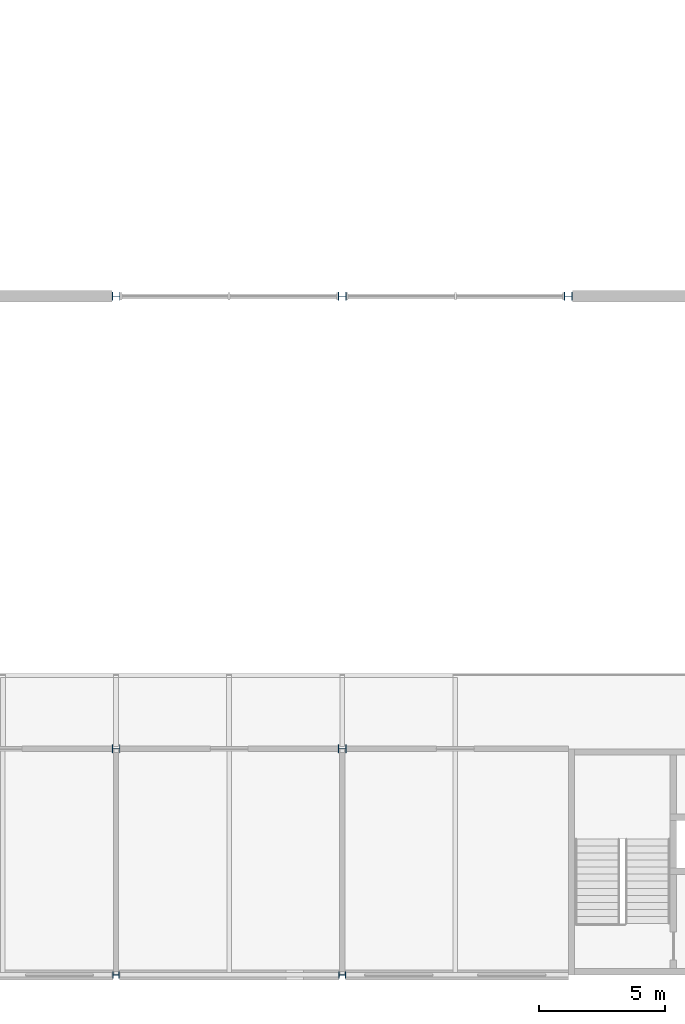
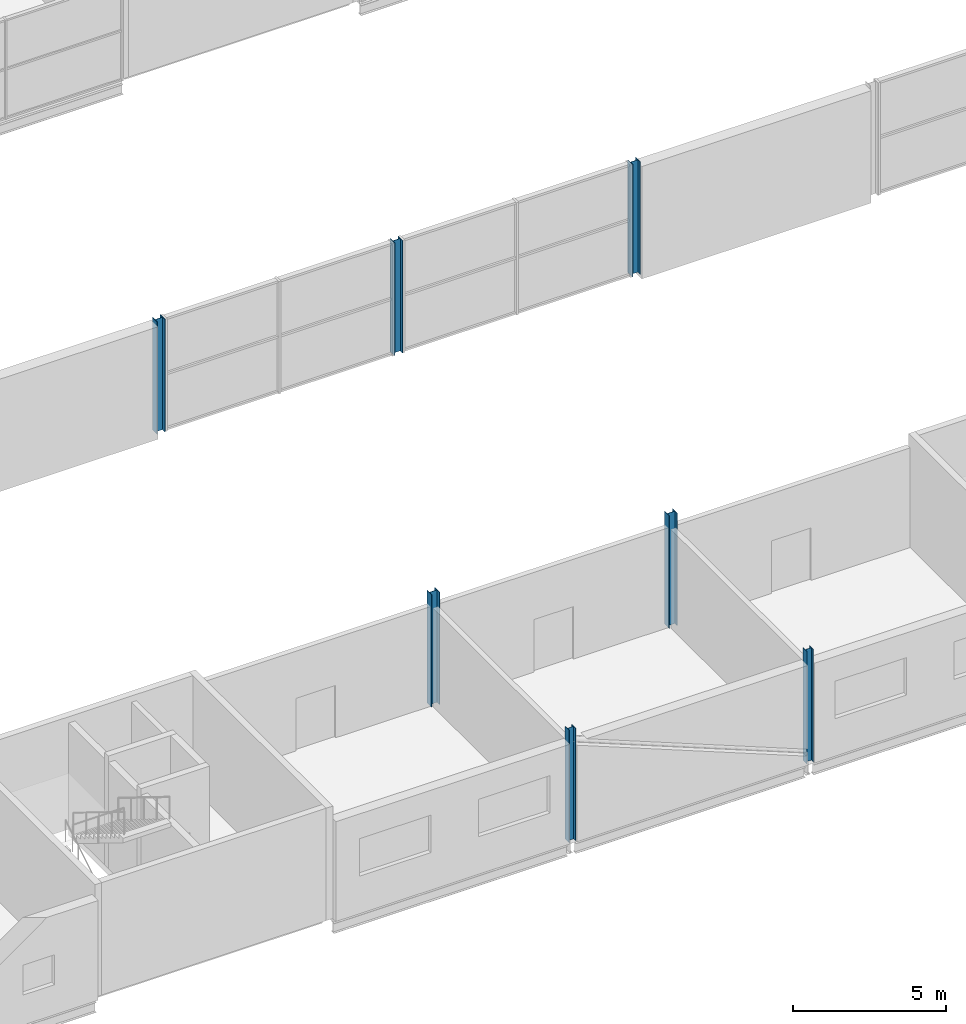
# One storey, part 8 of 97: 7 columns.
"""IFC4 building model written with IfcOpenShell, lengths in metres."""

from ifc_helpers import new_model, si_unit, direction, frame, origin, origin_2d, place, context, subcontext, project, spatial, i_section, extrude, material, material_profile, profile_set, type_object, element, save


model = new_model("IFC4")

# Units and contexts
model_context = context("Model", 3, precision=1e-05, world=origin(), true_north=direction((0.0, 1.0)))
body_context = subcontext(model_context, "Body", "Model", "MODEL_VIEW")
ifc_project = project(units=[si_unit("LENGTHUNIT", "METRE"), si_unit("AREAUNIT", "SQUARE_METRE"), si_unit("VOLUMEUNIT", "CUBIC_METRE"), si_unit("PLANEANGLEUNIT", "RADIAN"), si_unit("MASSUNIT", "GRAM", prefix="KILO")], contexts=[model_context])

# Site, building, storey
site_placement = place(None, origin())
site = spatial("IfcSite", under=ifc_project, at=site_placement, CompositionType="ELEMENT")
building_placement = place(site_placement, origin())
building = spatial("IfcBuilding", under=site, at=building_placement, Name="Corbel Yard City Hall", CompositionType="ELEMENT")
storey_placement = place(building_placement, frame((0.0, 0.0, 6.0)))
storey = spatial("IfcBuildingStorey", under=building, at=storey_placement, Name="L01", CompositionType="ELEMENT", Elevation=6.0)

# Columns
ifc_material = material(Name="Steel Grade 300 (300 MPa yield)", Category="steel")
ifc_material_profile_1 = material_profile(ifc_material, i_section(OverallWidth=0.256103515625, OverallDepth=0.260009765625, WebThickness=0.010498046875, FlangeThickness=0.017333984375, at=origin_2d()), Name="250UC89.5")
ifc_profile_set_1 = profile_set([ifc_material_profile_1], Name="Steel Grade 300 (300 MPa yield)")
column_type_1 = type_object("IfcColumnType", Name="Column 250UC89.5", PredefinedType="COLUMN", material=ifc_profile_set_1)
for number, where, z_axis, x_axis, name in (
    (1, (99.0, 0.0, 0.0), (0.0, 0.0, 1.0), (0.0, 1.0, 0.0), "Column 250UC89.5 A/12 L01"),
    (2, (108.0, 0.0, 0.0), (0.0, 0.0, 1.0), (0.0, 1.0, 0.0), "Column 250UC89.5 A/13 L01"),
):
    element("IfcColumn", number, at=place(storey_placement, frame(where, z_axis=z_axis, x_axis=x_axis)), inside=storey, type_object=column_type_1, Name=name, PredefinedType="COLUMN", context=body_context, shape_type="SweptSolid", body=[
        extrude(i_section(OverallWidth=0.256103515625, OverallDepth=0.260009765625, WebThickness=0.010498046875, FlangeThickness=0.017333984375, at=origin_2d()), origin(), (0.0, 0.0, 1.0), 4.5),
    ])
ifc_material_profile_2 = material_profile(ifc_material, i_section(OverallWidth=0.306884765625, OverallDepth=0.31494140625, WebThickness=0.011962890625, FlangeThickness=0.018798828125, at=origin_2d()), Name="310UC118")
ifc_profile_set_2 = profile_set([ifc_material_profile_2], Name="Steel Grade 300 (300 MPa yield)")
column_type_2 = type_object("IfcColumnType", Name="Column 310UC118", PredefinedType="COLUMN", material=ifc_profile_set_2)
for number, where, z_axis, x_axis, name in (
    (3, (99.0, 9.0, 0.0), (0.0, 0.0, 1.0), (0.0, 1.0, 0.0), "Column 310UC118 B/12 L01"),
    (4, (99.0, 27.0, 0.0), (0.0, 0.0, 1.0), (0.0, 1.0, 0.0), "Column 310UC118 D/12 L01"),
    (5, (108.0, 9.0, 0.0), (0.0, 0.0, 1.0), (0.0, 1.0, 0.0), "Column 310UC118 B/13 L01"),
    (6, (108.0, 27.0, 0.0), (0.0, 0.0, 1.0), (0.0, 1.0, 0.0), "Column 310UC118 D/13 L01"),
    (7, (117.0, 27.0, 0.0), (0.0, 0.0, 1.0), (0.0, 1.0, 0.0), "Column 310UC118 D/14 L01"),
):
    element("IfcColumn", number, at=place(storey_placement, frame(where, z_axis=z_axis, x_axis=x_axis)), inside=storey, type_object=column_type_2, Name=name, PredefinedType="COLUMN", context=body_context, shape_type="SweptSolid", body=[
        extrude(i_section(OverallWidth=0.306884765625, OverallDepth=0.31494140625, WebThickness=0.011962890625, FlangeThickness=0.018798828125, at=origin_2d()), origin(), (0.0, 0.0, 1.0), 4.5),
    ])

save(model, "model.ifc")
